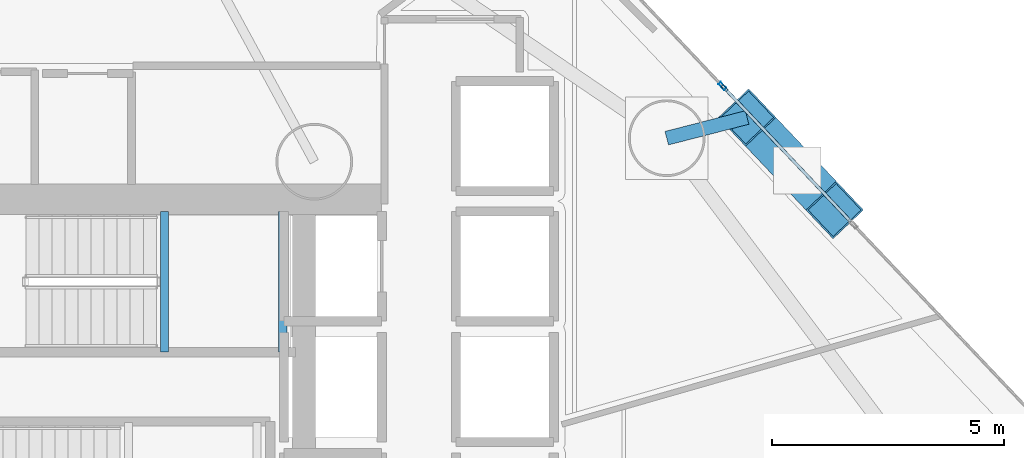
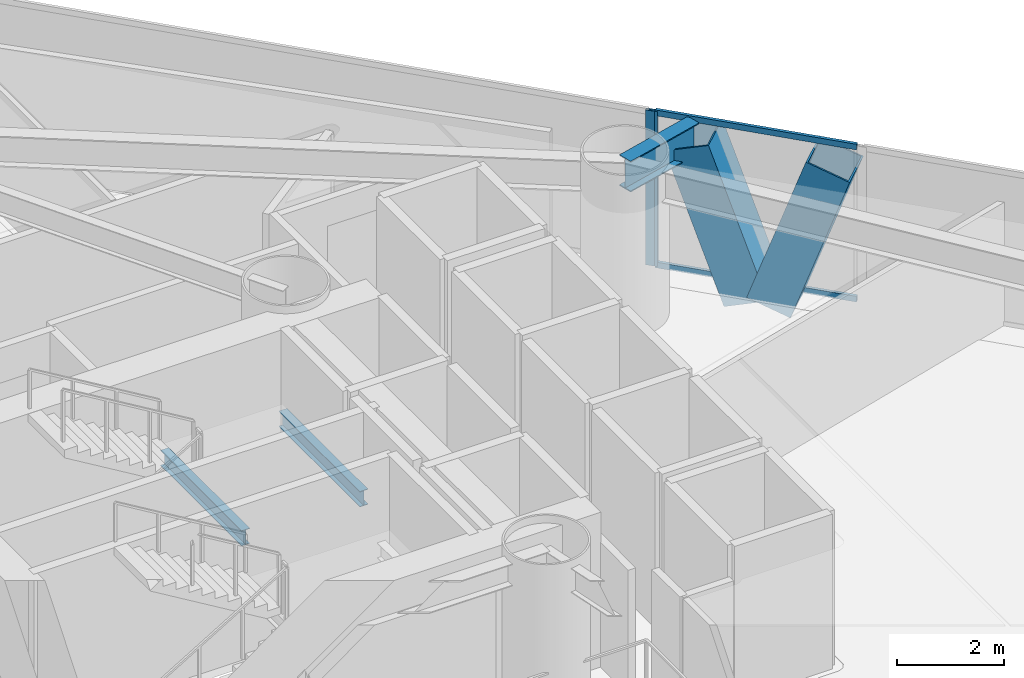
# One storey, part 10 of 23: 6 members, 3 beams, 2 elements without a shape of their own.
"""IFC4 building model written with IfcOpenShell, lengths in metres."""

from ifc_helpers import new_model, si_unit, direction, frame, origin, origin_2d, place, context, subcontext, project, spatial, hollow_rectangle, i_section, extrude, material, layer, layer_set, material_profile, profile_set, type_object, element, aggregate, save


model = new_model("IFC4")

# Units and contexts
model_context = context("Model", 3, precision=1e-05, world=origin(), true_north=direction((0.0, 1.0)))
body_context = subcontext(model_context, "Body", "Model", "MODEL_VIEW")
ifc_project = project(units=[si_unit("LENGTHUNIT", "METRE"), si_unit("AREAUNIT", "SQUARE_METRE"), si_unit("VOLUMEUNIT", "CUBIC_METRE"), si_unit("PLANEANGLEUNIT", "RADIAN"), si_unit("MASSUNIT", "GRAM", prefix="KILO")], contexts=[model_context])

# Site, building, storey
site_placement = place(None, origin())
site = spatial("IfcSite", under=ifc_project, at=site_placement, CompositionType="ELEMENT")
building_placement = place(site_placement, origin())
building = spatial("IfcBuilding", under=site, at=building_placement, Name="Qianvela Tower", CompositionType="ELEMENT")
storey_placement = place(building_placement, frame((0.0, 0.0, 52.5)))
storey = spatial("IfcBuildingStorey", under=building, at=storey_placement, Name="L12", CompositionType="ELEMENT", Elevation=52.5)

# Beams
ifc_material_1 = material(Name="Steel Q355B", Category="steel")
ifc_material_profile_1 = material_profile(ifc_material_1, i_section(OverallWidth=0.175048828125, OverallDepth=0.35009765625, WebThickness=0.007080078125, FlangeThickness=0.010986328125, at=origin_2d()), Name="HN350x175x7x11")
ifc_profile_set_1 = profile_set([ifc_material_profile_1], Name="Steel Q355B")
beam_type_1 = type_object("IfcBeamType", Name="BM-HN350-JOIST", PredefinedType="JOIST", material=ifc_profile_set_1)
for number, where, z_axis, x_axis, name in (
    (1, (35.179931640625, 29.4599609375, 1.47509765625), (0.0, 1.0, 0.0), (-1.0, 0.0, 0.0), "L12 Stair ST-1 Landing Support Beam 1.1"),
    (2, (37.719970703125, 29.4599609375, 1.47509765625), (0.0, 1.0, 0.0), (-1.0, 0.0, 0.0), "L12 Stair ST-1 Landing Support Beam 1.2"),
):
    element("IfcBeam", number, at=place(storey_placement, frame(where, z_axis=z_axis, x_axis=x_axis)), inside=storey, type_object=beam_type_1, Name=name, PredefinedType="JOIST", context=body_context, shape_type="SweptSolid", body=[
        extrude(i_section(OverallWidth=0.175048828125, OverallDepth=0.35009765625, WebThickness=0.007080078125, FlangeThickness=0.010986328125, at=origin_2d()), origin(), (0.0, 0.0, 1.0), 3.02001953125),
    ])
ifc_material_2 = material(Name="Steel Q355B", Category="steel")
ifc_material_profile_2 = material_profile(ifc_material_2, i_section(OverallWidth=0.300048828125, OverallDepth=0.699951171875, WebThickness=0.012939453125, FlangeThickness=0.02392578125, at=origin_2d()), Name="HN700x300x13x24")
ifc_profile_set_2 = profile_set([ifc_material_profile_2], Name="Steel Q355B")
beam_type_2 = type_object("IfcBeamType", Name="BM-HN700-SPAND", PredefinedType="SPANDREL", material=ifc_profile_set_2)
beam_placement = place(storey_placement, frame((45.98388671875, 34.056884765625, 3.16796875), z_axis=(0.968439233609, 0.249249775942, 0.0), x_axis=(-0.249249775942, 0.968439233609, 0.0)))
element("IfcBeam", 3, at=beam_placement, inside=storey, type_object=beam_type_2, Name="L12 Mega-Brace Column Tie Bracket F1-2", PredefinedType="SPANDREL", context=body_context, shape_type="SweptSolid", body=[
    extrude(i_section(OverallWidth=0.300048828125, OverallDepth=0.699951171875, WebThickness=0.012939453125, FlangeThickness=0.02392578125, at=origin_2d()), origin(), (0.0, 0.0, 1.0), 1.78662109375),
])

# Curtain wall, members
ifc_material_3 = material(Name="Anodised Architectural Aluminium and Insulated Spandrel Panel", Category="aluminium")
ifc_layer_1 = layer(ifc_material_3, 0.179931640625)
ifc_layer_set_1 = layer_set([ifc_layer_1], Name="Anodised Architectural Aluminium and Insulated Spandrel Panel")
curtain_wall_type_1 = type_object("IfcCurtainWallType", Name="CW-BRACEBAY", PredefinedType="USERDEFINED", material=ifc_layer_set_1)
curtain_wall_1_placement = place(storey_placement, origin())
curtain_wall_1 = element("IfcCurtainWall", 4, at=curtain_wall_1_placement, inside=storey, type_object=curtain_wall_type_1, Name="L12 CW-BRACEBAY Curtain Wall 02B", ObjectType="CURTAIN_WALL_SYSTEM", PredefinedType="USERDEFINED")
ifc_material_4 = material(Name="Anodised Architectural Aluminium 6063-T6", Category="aluminium")
ifc_material_profile_3 = material_profile(ifc_material_4, hollow_rectangle(XDim=0.06494140625, YDim=0.159912109375, WallThickness=0.0048828125, at=origin_2d()), Name="ALU-MULL-65x160")
ifc_profile_set_3 = profile_set([ifc_material_profile_3], Name="Anodised Architectural Aluminium 6063-T6")
member_type_1 = type_object("IfcMemberType", Name="CW-BRACEBAY-MULL", PredefinedType="MULLION", material=ifc_profile_set_3)
member_1_placement = place(storey_placement, frame((47.22802734375, 35.13232421875, 0.0), z_axis=(0.0, 0.0, 1.0), x_axis=(-0.726487119455, -0.687180082122, 0.0)))
member_1 = element("IfcMember", 5, at=member_1_placement, type_object=member_type_1, Name="CW-9 mullion 2", PredefinedType="MULLION", context=body_context, shape_type="SweptSolid", body=[
    extrude(hollow_rectangle(XDim=0.06494140625, YDim=0.159912109375, WallThickness=0.0048828125, at=origin_2d()), origin(), (0.0, 0.0, 1.0), 3.52001953125),
])
ifc_material_5 = material(Name="Anodised Architectural Aluminium 6063-T6", Category="aluminium")
ifc_material_profile_4 = material_profile(ifc_material_5, hollow_rectangle(XDim=0.06494140625, YDim=0.1298828125, WallThickness=0.00439453125, at=origin_2d()), Name="ALU-TRAN-65x130")
ifc_profile_set_4 = profile_set([ifc_material_profile_4], Name="Anodised Architectural Aluminium 6063-T6")
member_type_2 = type_object("IfcMemberType", Name="CW-BRACEBAY-TRAN", PredefinedType="USERDEFINED", material=ifc_profile_set_4)
member_2_placement = place(storey_placement, frame((49.937255859375, 32.268310546875, 0.032470703125), z_axis=(-0.687164227445, 0.726502115977, 0.0), x_axis=(-0.726502115977, -0.687164227445, 0.0)))
member_2 = element("IfcMember", 6, at=member_2_placement, type_object=member_type_2, Name="CW-9 transom 1.1", ObjectType="TRANSOM", PredefinedType="USERDEFINED", context=body_context, shape_type="SweptSolid", body=[
    extrude(hollow_rectangle(XDim=0.06494140625, YDim=0.1298828125, WallThickness=0.00439453125, at=origin_2d()), origin(), (0.0, 0.0, 1.0), 3.909912109375),
])
member_3_placement = place(storey_placement, frame((49.937255859375, 32.268310546875, 3.487548828125), z_axis=(-0.687164227445, 0.726502115977, 0.0), x_axis=(-0.726502115977, -0.687164227445, 0.0)))
member_3 = element("IfcMember", 7, at=member_3_placement, type_object=member_type_2, Name="CW-9 transom 1.2", ObjectType="TRANSOM", PredefinedType="USERDEFINED", context=body_context, shape_type="SweptSolid", body=[
    extrude(hollow_rectangle(XDim=0.06494140625, YDim=0.1298828125, WallThickness=0.00439453125, at=origin_2d()), origin(), (0.0, 0.0, 1.0), 3.909912109375),
])
aggregate(curtain_wall_1, [member_1, member_2, member_3])

# Curtain wall, member
ifc_material_6 = material(Name="Anodised Architectural Aluminium and Low-E Glass", Category="aluminium")
ifc_layer_2 = layer(ifc_material_6, 0.179931640625)
ifc_layer_set_2 = layer_set([ifc_layer_2], Name="Anodised Architectural Aluminium and Low-E Glass")
curtain_wall_type_2 = type_object("IfcCurtainWallType", Name="CW-COLIV-Z12", PredefinedType="USERDEFINED", material=ifc_layer_set_2)
curtain_wall_2_placement = place(storey_placement, origin())
curtain_wall_2 = element("IfcCurtainWall", 8, at=curtain_wall_2_placement, inside=storey, type_object=curtain_wall_type_2, Name="L12 CW-COLIV-Z12 Curtain Wall 02C", ObjectType="CURTAIN_WALL_SYSTEM", PredefinedType="USERDEFINED")
ifc_material_7 = material(Name="Anodised Architectural Aluminium 6063-T6", Category="aluminium")
ifc_material_profile_5 = material_profile(ifc_material_7, hollow_rectangle(XDim=0.070068359375, YDim=0.179931640625, WallThickness=0.0048828125, at=origin_2d()), Name="ALU-MULL-70x180")
ifc_profile_set_5 = profile_set([ifc_material_profile_5], Name="Anodised Architectural Aluminium 6063-T6")
member_type_3 = type_object("IfcMemberType", Name="CW-COLIV-Z12-MULL", PredefinedType="MULLION", material=ifc_profile_set_5)
member_4_placement = place(storey_placement, frame((47.181640625, 35.181396484375, 0.0), z_axis=(0.0, 0.0, 1.0), x_axis=(-0.726494074876, -0.687172728773, 0.0)))
member_4 = element("IfcMember", 9, at=member_4_placement, type_object=member_type_3, Name="CW-3 mullion 1", PredefinedType="MULLION", context=body_context, shape_type="SweptSolid", body=[
    extrude(hollow_rectangle(XDim=0.070068359375, YDim=0.179931640625, WallThickness=0.0048828125, at=origin_2d()), origin(), (0.0, 0.0, 1.0), 3.52001953125),
])
aggregate(curtain_wall_2, [member_4])

# Members
ifc_material_8 = material(Name="Steel Q420GJC", Category="steel")
ifc_material_profile_6 = material_profile(ifc_material_8, hollow_rectangle(XDim=0.89990234375, YDim=0.89990234375, WallThickness=0.035888671875, at=origin_2d()), Name="MBOX-900x900x36")
ifc_profile_set_6 = profile_set([ifc_material_profile_6], Name="Steel Q420GJC")
member_type_4 = type_object("IfcMemberType", Name="MBR-MBRACE-900", PredefinedType="BRACE", material=ifc_profile_set_6)
for number, where, z_axis, x_axis, name in (
    (10, (48.806884765625, 33.346923828125, -0.139892578125), (0.22566196607, -0.238558927368, 0.944545560173), (0.726471281367, 0.68719682577, 0.0), "L12 Tier 2 Exterior Mega-Brace F1A"),
    (11, (48.50439453125, 33.666748046875, -0.139892578125), (-0.22566196607, 0.238558927368, 0.944545560173), (-0.726471281367, -0.68719682577, 0.0), "L12 Tier 2 Exterior Mega-Brace F1B"),
):
    element("IfcMember", number, at=place(storey_placement, frame(where, z_axis=z_axis, x_axis=x_axis)), inside=storey, type_object=member_type_4, Name=name, PredefinedType="BRACE", context=body_context, shape_type="SweptSolid", body=[
        extrude(hollow_rectangle(XDim=0.89990234375, YDim=0.89990234375, WallThickness=0.035888671875, at=origin_2d()), origin(), (0.0, 0.0, 1.0), 3.501953125),
    ])

save(model, "model.ifc")
